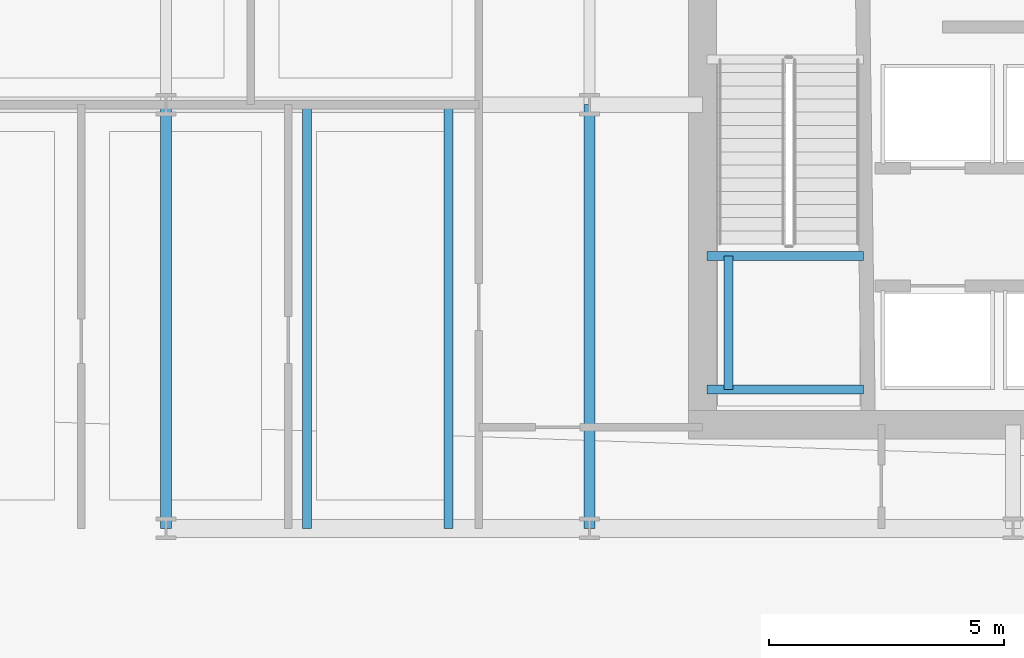
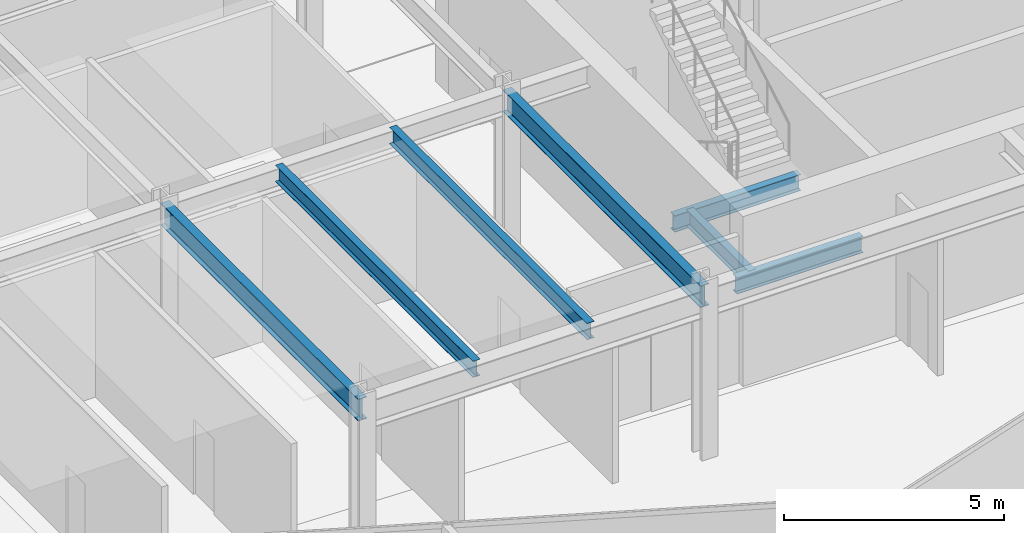
# One storey, part 4 of 39: 7 beams.
"""IFC4 building model written with IfcOpenShell, lengths in metres."""

import ifcopenshell
import ifcopenshell.guid

model = None  # the IFC model being written
_history = None  # IfcOwnerHistory: only IFC2X3 demands one
_inside = {}  # id of a spatial element -> (the spatial element, [elements in it])
_under = {}  # id of a project, library or spatial element -> (it, [spatial elements below it])
_declared = {}  # id of a project -> (the project, [libraries it declares])
_typed = {}  # id of a type object -> (the type object, [elements of that type])
_made_of = {}  # id of a material, layer set ... -> (it, [elements and type objects made of it])


def new_model(schema):
    """Start an empty IFC model of exactly this schema.

    Asked for "IFC4X3", IfcOpenShell would pick the latest addendum, in which some entities
    have other attributes; the version numbers below select the first issue.
    IFC2X3 requires an IfcOwnerHistory on every rooted entity: one is made here for all.
    """
    global model, _history
    if schema == "IFC4X3":
        model = ifcopenshell.file(schema_version=(4, 3, 0, 0))
    else:
        model = ifcopenshell.file(schema=schema)
    _inside.clear()
    _under.clear()
    _declared.clear()
    _typed.clear()
    _made_of.clear()
    _history = None
    if model.schema == "IFC2X3":
        org = make("IfcOrganization", Name="unknown")
        user = make(
            "IfcPersonAndOrganization",
            ThePerson=make("IfcPerson", FamilyName="unknown"),
            TheOrganization=org,
        )
        app = make(
            "IfcApplication",
            ApplicationDeveloper=org,
            Version="unknown",
            ApplicationFullName="unknown",
            ApplicationIdentifier="unknown",
        )
        _history = make(
            "IfcOwnerHistory",
            OwningUser=user,
            OwningApplication=app,
            ChangeAction="ADDED",
            CreationDate=0,
        )
    return model


def make(cls, **values):
    """One entity of the class cls with the attributes given. An attribute that is None is left unset."""
    return model.create_entity(
        cls, **{name: value for name, value in values.items() if value is not None}
    )


def rooted(cls, **values):
    """An entity with a GlobalId (a new one), such as an element, a storey or a relation."""
    return make(cls, GlobalId=ifcopenshell.guid.new(), OwnerHistory=_history, **values)


def si_unit(unit_type, name, prefix=None):
    """IfcSIUnit, for example si_unit("LENGTHUNIT", "METRE", prefix="MILLI")."""
    return make("IfcSIUnit", UnitType=unit_type, Prefix=prefix, Name=name)


def assignment(units):
    """IfcUnitAssignment: the units of a project."""
    return None if units is None else make("IfcUnitAssignment", Units=units)


def point(xyz):
    """IfcCartesianPoint."""
    return None if xyz is None else make("IfcCartesianPoint", Coordinates=xyz)


def direction(xyz):
    """IfcDirection."""
    return None if xyz is None else make("IfcDirection", DirectionRatios=xyz)


def frame(location, z_axis=None, x_axis=None):
    """IfcAxis2Placement3D, a coordinate frame: its origin and axes. An axis left out is left unset."""
    return make(
        "IfcAxis2Placement3D",
        Location=point(location),
        Axis=direction(z_axis),
        RefDirection=direction(x_axis),
    )


def frame_2d(location, x_axis=None):
    """IfcAxis2Placement2D, a coordinate frame in the plane: its origin and x axis."""
    return make(
        "IfcAxis2Placement2D", Location=point(location), RefDirection=direction(x_axis)
    )


def origin():
    """The frame at (0, 0, 0) with its axes left unset."""
    return frame((0.0, 0.0, 0.0))


def origin_2d():
    """The frame at (0, 0) in the plane with its x axis left unset."""
    return frame_2d((0.0, 0.0))


def place(relative_to, where):
    """IfcLocalPlacement: puts the frame where relative to a parent placement (None: the world)."""
    return make(
        "IfcLocalPlacement", PlacementRelTo=relative_to, RelativePlacement=where
    )


def context(
    kind, dimensions, precision=None, world=None, true_north=None, identifier=None
):
    """IfcGeometricRepresentationContext, for example the 3D "Model" context."""
    return make(
        "IfcGeometricRepresentationContext",
        ContextIdentifier=identifier,
        ContextType=kind,
        CoordinateSpaceDimension=dimensions,
        Precision=precision,
        WorldCoordinateSystem=world,
        TrueNorth=true_north,
    )


def subcontext(parent, identifier, kind, view, scale=None):
    """IfcGeometricRepresentationSubContext, for example "Body" below "Model"."""
    return make(
        "IfcGeometricRepresentationSubContext",
        ContextIdentifier=identifier,
        ContextType=kind,
        ParentContext=parent,
        TargetScale=scale,
        TargetView=view,
    )


def project(units=None, contexts=None):
    """IfcProject with its units and contexts."""
    return rooted(
        "IfcProject",
        Name="project",
        RepresentationContexts=contexts,
        UnitsInContext=assignment(units),
    )


def spatial(cls, under=None, at=None, **own):
    """A site, building, storey or space (cls), placed at a placement, below another one or the project."""
    s = rooted(cls, ObjectPlacement=at, **own)
    if under is not None:
        _under.setdefault(under.id(), (under, []))[1].append(s)
    return s


def profile(cls, at=None, kind="AREA", **sizes):
    """A parametric profile (cls). Its sizes go by their IFC names, for example OverallWidth=200.0."""
    return make(cls, ProfileType=kind, Position=at, **sizes)


def i_section(**sizes):
    """IfcIShapeProfileDef."""
    return profile("IfcIShapeProfileDef", **sizes)


def extrude(swept, where, along, depth):
    """IfcExtrudedAreaSolid: the profile swept, set in the frame where, extruded along a direction by depth."""
    return make(
        "IfcExtrudedAreaSolid",
        SweptArea=swept,
        Position=where,
        ExtrudedDirection=direction(along),
        Depth=depth,
    )


def shape(context_of_items, identifier, shape_type, items):
    """IfcShapeRepresentation: the items that make up one representation, for example the "Body"."""
    return make(
        "IfcShapeRepresentation",
        ContextOfItems=context_of_items,
        RepresentationIdentifier=identifier,
        RepresentationType=shape_type,
        Items=items,
    )


def material(Name=None, Category=None):
    """IfcMaterial."""
    return make("IfcMaterial", Name=Name, Category=Category)


def material_profile(
    of_material, cross_section, Name=None, Category=None, Priority=None
):
    """IfcMaterialProfile: a cross section and its material."""
    return make(
        "IfcMaterialProfile",
        Name=Name,
        Material=of_material,
        Profile=cross_section,
        Priority=Priority,
        Category=Category,
    )


def profile_set(profiles, Name=None, composite=None):
    """IfcMaterialProfileSet."""
    return make(
        "IfcMaterialProfileSet",
        Name=Name,
        MaterialProfiles=profiles,
        CompositeProfile=composite,
    )


def made_of(thing, what):
    """Note that an element or type object is made of a material, layer set ...; save() writes the relation."""
    if what is not None:
        _made_of.setdefault(what.id(), (what, []))[1].append(thing)
    return thing


def type_object(cls, material=None, **own):
    """A type object (cls), such as IfcWallType, which elements share."""
    return made_of(rooted(cls, **own), material)


def element(
    cls,
    number,
    at=None,
    inside=None,
    cuts=None,
    type_object=None,
    material=None,
    context=None,
    identifier="Body",
    shape_type=None,
    held_by="IfcProductDefinitionShape",
    body=None,
    shapes=None,
    **own,
):
    """One element of the class cls, such as IfcWall. Its Tag is "e" and its number.

    at: its placement. inside: the storey or other place that contains it. cuts: it is an
    opening in that element (IfcRelVoidsElement). A single representation is given by context,
    identifier, shape_type and body (its items); several are given by shapes. held_by: the class
    of the entity that holds the representations. save() writes the other relations.
    """
    e = rooted(cls, Tag="e%d" % number, ObjectPlacement=at, **own)
    if body is not None:
        shapes = [shape(context, identifier, shape_type, body)]
    if shapes is not None:
        e.Representation = make(held_by, Representations=shapes)
    if inside is not None:
        _inside.setdefault(inside.id(), (inside, []))[1].append(e)
    if cuts is not None:
        rooted(
            "IfcRelVoidsElement", RelatingBuildingElement=cuts, RelatedOpeningElement=e
        )
    if type_object is not None:
        _typed.setdefault(type_object.id(), (type_object, []))[1].append(e)
    return made_of(e, material)


def aggregate(whole, parts):
    """IfcRelAggregates: a whole, such as a stair, and the parts it consists of."""
    return rooted("IfcRelAggregates", RelatingObject=whole, RelatedObjects=parts)


def save(model, path):
    """Write the relations noted so far, then the file.

    IfcRelAggregates (storeys below a building ...), IfcRelContainedInSpatialStructure (elements
    in a storey), IfcRelDefinesByType, IfcRelAssociatesMaterial and IfcRelDeclares: one each for
    every whole, place, type object, material and project.
    """
    for whole, parts in _under.values():
        aggregate(whole, parts)
    for where, things in _inside.values():
        rooted(
            "IfcRelContainedInSpatialStructure",
            RelatedElements=things,
            RelatingStructure=where,
        )
    for kind, things in _typed.values():
        rooted("IfcRelDefinesByType", RelatedObjects=things, RelatingType=kind)
    for what, things in _made_of.values():
        rooted("IfcRelAssociatesMaterial", RelatedObjects=things, RelatingMaterial=what)
    for by, libraries in _declared.values():
        rooted("IfcRelDeclares", RelatingContext=by, RelatedDefinitions=libraries)
    model.write(path)


model = new_model("IFC4")

# Units and contexts
model_context = context("Model", 3, precision=1e-05, world=origin(), true_north=direction((0.0, 1.0)))
body_context = subcontext(model_context, "Body", "Model", "MODEL_VIEW")
ifc_project = project(units=[si_unit("LENGTHUNIT", "METRE"), si_unit("AREAUNIT", "SQUARE_METRE"), si_unit("VOLUMEUNIT", "CUBIC_METRE"), si_unit("PLANEANGLEUNIT", "RADIAN"), si_unit("MASSUNIT", "GRAM", prefix="KILO")], contexts=[model_context])

# Site, building, storey
site_placement = place(None, origin())
site = spatial("IfcSite", under=ifc_project, at=site_placement, CompositionType="ELEMENT")
building_placement = place(site_placement, origin())
building = spatial("IfcBuilding", under=site, at=building_placement, Name="Solvaryn Broadcast Tower", CompositionType="ELEMENT")
storey_placement = place(building_placement, frame((0.0, 0.0, 84.10009765625)))
storey = spatial("IfcBuildingStorey", under=building, at=storey_placement, Name="L20", CompositionType="ELEMENT", Elevation=84.10009765625)

# Beams
ifc_material_1 = material(Name="Steel ASTM A992 Grade 50", Category="steel")
ifc_material_profile_1 = material_profile(ifc_material_1, i_section(OverallWidth=0.22802734375, OverallDepth=0.60791015625, WebThickness=0.01123046875, FlangeThickness=0.017333984375, FilletRadius=0.014892578125, at=origin_2d()))
ifc_profile_set_1 = profile_set([ifc_material_profile_1], Name="Steel ASTM A992 Grade 50")
beam_type_1 = type_object("IfcBeamType", Name="BM-B2-W24X76", PredefinedType="BEAM", material=ifc_profile_set_1)
for number, where, z_axis, x_axis, name in (
    (1, (18.0, 9.0, 4.416015625), (0.0, 1.0, 0.0), (-1.0, 0.0, 0.0), "L20 Primary Beam Y (9-18 @ X=18)"),
    (2, (27.0, 9.0, 4.416015625), (0.0, 1.0, 0.0), (-1.0, 0.0, 0.0), "L20 Primary Beam Y (9-18 @ X=27)"),
):
    element("IfcBeam", number, at=place(storey_placement, frame(where, z_axis=z_axis, x_axis=x_axis)), inside=storey, type_object=beam_type_1, Name=name, PredefinedType="BEAM", context=body_context, shape_type="SweptSolid", body=[
        extrude(i_section(OverallWidth=0.22802734375, OverallDepth=0.60791015625, WebThickness=0.01123046875, FlangeThickness=0.017333984375, FilletRadius=0.014892578125, at=origin_2d()), origin(), (0.0, 0.0, 1.0), 9.0),
    ])
ifc_material_2 = material(Name="Steel ASTM A992 Grade 50", Category="steel")
ifc_material_profile_2 = material_profile(ifc_material_2, i_section(OverallWidth=0.18994140625, OverallDepth=0.45703125, WebThickness=0.009033203125, FlangeThickness=0.014404296875, FilletRadius=0.011962890625, at=origin_2d()))
ifc_profile_set_2 = profile_set([ifc_material_profile_2], Name="Steel ASTM A992 Grade 50")
beam_type_2 = type_object("IfcBeamType", Name="BM-B4-W18X50", PredefinedType="BEAM", material=ifc_profile_set_2)
for number, where, z_axis, x_axis, name in (
    (3, (29.5, 11.949951171875, 2.0712890625), (1.0, 0.0, 0.0), (0.0, 1.0, 0.0), "L20 ST3 Landing Support Beam 1A"),
    (4, (29.5, 14.7900390625, 2.0712890625), (1.0, 0.0, 0.0), (0.0, 1.0, 0.0), "L20 ST3 Landing Support Beam 1B"),
):
    element("IfcBeam", number, at=place(storey_placement, frame(where, z_axis=z_axis, x_axis=x_axis)), inside=storey, type_object=beam_type_2, Name=name, PredefinedType="BEAM", context=body_context, shape_type="SweptSolid", body=[
        extrude(i_section(OverallWidth=0.18994140625, OverallDepth=0.45703125, WebThickness=0.009033203125, FlangeThickness=0.014404296875, FilletRadius=0.011962890625, at=origin_2d()), origin(), (0.0, 0.0, 1.0), 3.320068359375),
    ])
beam_placement = place(storey_placement, frame((29.949951171875, 11.949951171875, 2.0712890625), z_axis=(0.0, 1.0, 0.0), x_axis=(-1.0, 0.0, 0.0)))
element("IfcBeam", 5, at=beam_placement, inside=storey, type_object=beam_type_2, Name="L20 ST3 Landing Cross Stringer 1C", PredefinedType="BEAM", context=body_context, shape_type="SweptSolid", body=[
    extrude(i_section(OverallWidth=0.18994140625, OverallDepth=0.45703125, WebThickness=0.009033203125, FlangeThickness=0.014404296875, FilletRadius=0.011962890625, at=origin_2d()), origin(), (0.0, 0.0, 1.0), 2.840087890625),
])
ifc_material_3 = material(Name="Steel ASTM A992 Grade 50", Category="steel")
ifc_material_profile_3 = material_profile(ifc_material_3, i_section(OverallWidth=0.18994140625, OverallDepth=0.45703125, WebThickness=0.009033203125, FlangeThickness=0.014404296875, FilletRadius=0.011962890625, at=origin_2d()))
ifc_profile_set_3 = profile_set([ifc_material_profile_3], Name="Steel ASTM A992 Grade 50")
beam_type_3 = type_object("IfcBeamType", Name="BM-JOIST-W18X50", PredefinedType="JOIST", material=ifc_profile_set_3)
for number, where, z_axis, x_axis, name in (
    (6, (21.0, 9.0, 4.491455078125), (0.0, 1.0, 0.0), (-1.0, 0.0, 0.0), "L20 Sky-Garden Floor Joist 1"),
    (7, (24.0, 9.0, 4.491455078125), (0.0, 1.0, 0.0), (-1.0, 0.0, 0.0), "L20 Sky-Garden Floor Joist 2"),
):
    element("IfcBeam", number, at=place(storey_placement, frame(where, z_axis=z_axis, x_axis=x_axis)), inside=storey, type_object=beam_type_3, Name=name, PredefinedType="JOIST", context=body_context, shape_type="SweptSolid", body=[
        extrude(i_section(OverallWidth=0.18994140625, OverallDepth=0.45703125, WebThickness=0.009033203125, FlangeThickness=0.014404296875, FilletRadius=0.011962890625, at=origin_2d()), origin(), (0.0, 0.0, 1.0), 9.0),
    ])

save(model, "model.ifc")
